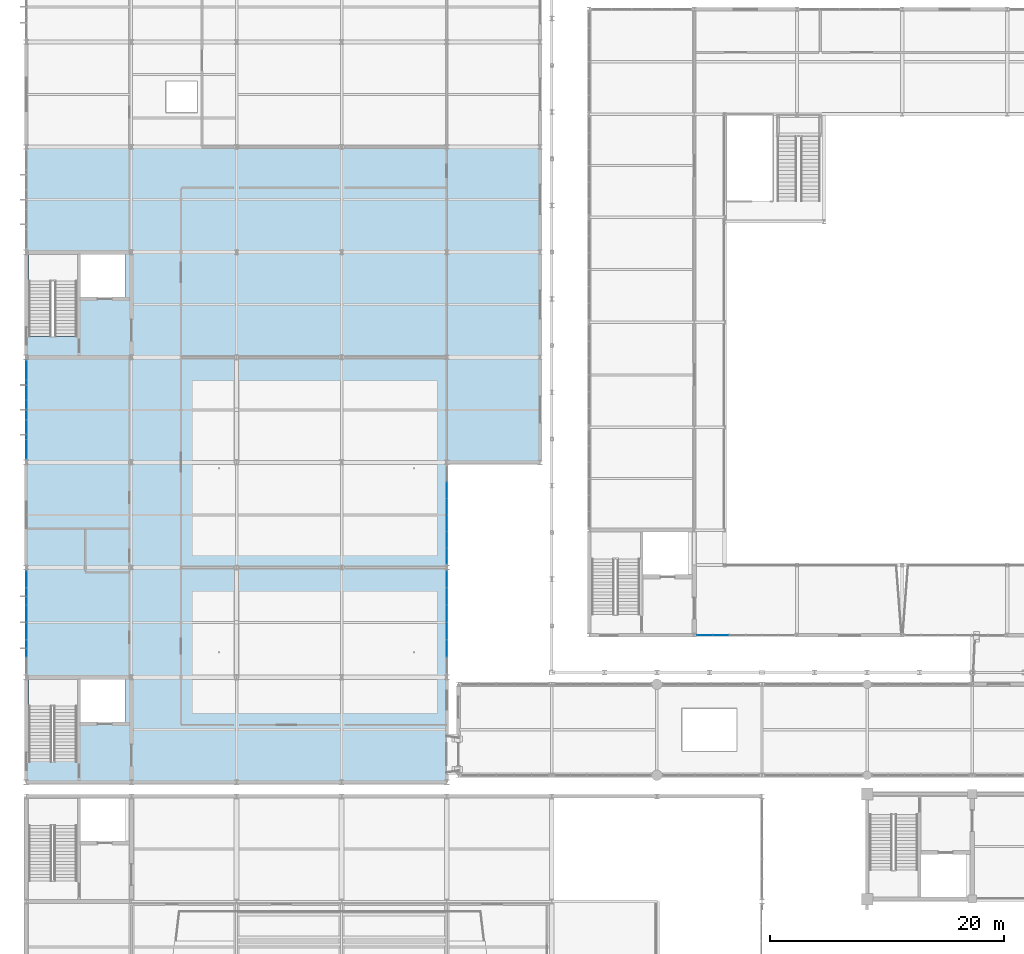
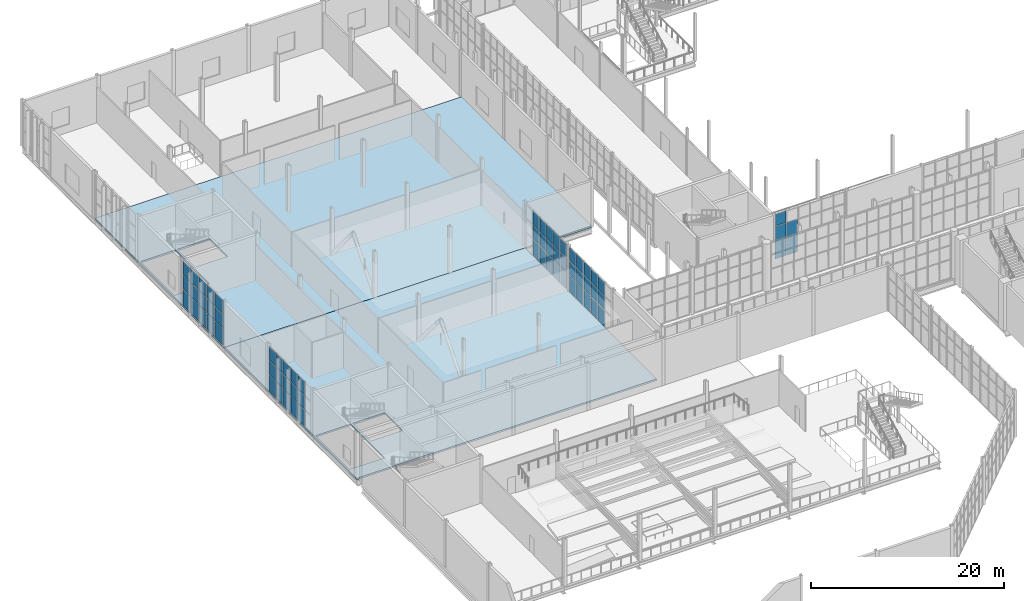
# One storey, part 102 of 159: 65 plates, 2 slabs, 5 elements without a shape of their own.
"""IFC4 building model written with IfcOpenShell, lengths in metres."""

from ifc_helpers import new_model, si_unit, direction, frame, origin, origin_2d, place, context, subcontext, project, spatial, polyline, rectangle, outline, extrude, material, layer, layer_set, type_object, element, aggregate, save


model = new_model("IFC4")

# Units and contexts
model_context = context("Model", 3, precision=1e-05, world=origin(), true_north=direction((0.0, 1.0)))
body_context = subcontext(model_context, "Body", "Model", "MODEL_VIEW")
ifc_project = project(units=[si_unit("LENGTHUNIT", "METRE"), si_unit("AREAUNIT", "SQUARE_METRE"), si_unit("VOLUMEUNIT", "CUBIC_METRE"), si_unit("PLANEANGLEUNIT", "RADIAN"), si_unit("MASSUNIT", "GRAM", prefix="KILO")], contexts=[model_context])

# Site, building, storey
site_placement = place(None, origin())
site = spatial("IfcSite", under=ifc_project, at=site_placement, CompositionType="ELEMENT")
building_placement = place(site_placement, origin())
building = spatial("IfcBuilding", under=site, at=building_placement, Name="Cazmaro Siding Exhibition Halls", CompositionType="ELEMENT")
storey_placement = place(building_placement, frame((0.0, 0.0, 6.0)))
storey = spatial("IfcBuildingStorey", under=building, at=storey_placement, Name="L01", CompositionType="ELEMENT", Elevation=6.0)

# Curtain wall, plates
ifc_material_1 = material(Name="Anodized Bronze Aluminum and Solar-Control Low-E Glazing", Category="aluminium")
ifc_layer_1 = layer(ifc_material_1, 0.179931640625)
ifc_layer_set_1 = layer_set([ifc_layer_1], Name="Anodized Bronze Aluminum and Solar-Control Low-E Glazing")
curtain_wall_type_1 = type_object("IfcCurtainWallType", Name="CWS-01", PredefinedType="USERDEFINED", material=ifc_layer_set_1)
curtain_wall_1_placement = place(storey_placement, origin())
curtain_wall_1 = element("IfcCurtainWall", 1, at=curtain_wall_1_placement, inside=storey, type_object=curtain_wall_type_1, Name="Glazed Curtain Wall CWS-01 CW-004", ObjectType="GLAZED CURTAIN WALL", PredefinedType="USERDEFINED")
ifc_material_2 = material(Name="Solar-Control Low-E Double Insulating Glass", Category="glass")
ifc_layer_2 = layer(ifc_material_2, 0.02392578125)
ifc_layer_set_2 = layer_set([ifc_layer_2], Name="Solar-Control Low-E Double Insulating Glass")
plate_type_1 = type_object("IfcPlateType", Name="CWP-01", PredefinedType="CURTAIN_PANEL", material=ifc_layer_set_2)
plate_1_placement = place(storey_placement, frame((58.112548828125, 67.199951171875, 0.06005859375), z_axis=(0.0, 0.0, 1.0), x_axis=(1.0, 0.0, 0.0)))
plate_1 = element("IfcPlate", 2, at=plate_1_placement, type_object=plate_type_1, Name="CWS-01 panel 1.1", PredefinedType="CURTAIN_PANEL", context=body_context, shape_type="SweptSolid", body=[
    extrude(rectangle(XDim=1.31103515625, YDim=0.02392578125, at=origin_2d()), origin(), (0.0, 0.0, 1.0), 2.31005859375),
])
plate_2_placement = place(storey_placement, frame((58.112548828125, 67.199951171875, 2.43017578125), z_axis=(0.0, 0.0, 1.0), x_axis=(1.0, 0.0, 0.0)))
plate_2 = element("IfcPlate", 3, at=plate_2_placement, type_object=plate_type_1, Name="CWS-01 panel 1.2", PredefinedType="CURTAIN_PANEL", context=body_context, shape_type="SweptSolid", body=[
    extrude(rectangle(XDim=1.31103515625, YDim=0.02392578125, at=origin_2d()), origin(), (0.0, 0.0, 1.0), 1.739990234375),
])
plate_3_placement = place(storey_placement, frame((58.112548828125, 67.199951171875, 4.22998046875), z_axis=(0.0, 0.0, 1.0), x_axis=(1.0, 0.0, 0.0)))
plate_3 = element("IfcPlate", 4, at=plate_3_placement, type_object=plate_type_1, Name="CWS-01 panel 1.3", PredefinedType="CURTAIN_PANEL", context=body_context, shape_type="SweptSolid", body=[
    extrude(rectangle(XDim=1.31103515625, YDim=0.02392578125, at=origin_2d()), origin(), (0.0, 0.0, 1.0), 1.489990234375),
])
plate_4_placement = place(storey_placement, frame((59.49853515625, 67.199951171875, 0.06005859375), z_axis=(0.0, 0.0, 1.0), x_axis=(1.0, 0.0, 0.0)))
plate_4 = element("IfcPlate", 5, at=plate_4_placement, type_object=plate_type_1, Name="CWS-01 panel 2.1", PredefinedType="CURTAIN_PANEL", context=body_context, shape_type="SweptSolid", body=[
    extrude(rectangle(XDim=1.341064453125, YDim=0.02392578125, at=origin_2d()), origin(), (0.0, 0.0, 1.0), 2.31005859375),
])
plate_5_placement = place(storey_placement, frame((59.49853515625, 67.199951171875, 2.43017578125), z_axis=(0.0, 0.0, 1.0), x_axis=(1.0, 0.0, 0.0)))
plate_5 = element("IfcPlate", 6, at=plate_5_placement, type_object=plate_type_1, Name="CWS-01 panel 2.2", PredefinedType="CURTAIN_PANEL", context=body_context, shape_type="SweptSolid", body=[
    extrude(rectangle(XDim=1.341064453125, YDim=0.02392578125, at=origin_2d()), origin(), (0.0, 0.0, 1.0), 1.739990234375),
])
aggregate(curtain_wall_1, [plate_1, plate_2, plate_3, plate_4, plate_5])

curtain_wall_2_placement = place(storey_placement, origin())
curtain_wall_2 = element("IfcCurtainWall", 7, at=curtain_wall_2_placement, inside=storey, type_object=curtain_wall_type_1, Name="Glazed Curtain Wall CWS-01 CW-231", ObjectType="GLAZED CURTAIN WALL", PredefinedType="USERDEFINED")
plate_6_placement = place(storey_placement, frame((36.0, 66.076416015625, 0.06005859375), z_axis=(0.0, 0.0, 1.0), x_axis=(0.0, 1.0, 0.0)))
plate_6 = element("IfcPlate", 8, at=plate_6_placement, type_object=plate_type_1, Name="CWS-01 panel 2.1", PredefinedType="CURTAIN_PANEL", context=body_context, shape_type="SweptSolid", body=[
    extrude(rectangle(XDim=1.42236328125, YDim=0.02392578125, at=origin_2d()), origin(), (0.0, 0.0, 1.0), 2.110107421875),
])
plate_7_placement = place(storey_placement, frame((36.0, 66.076416015625, 2.22998046875), z_axis=(0.0, 0.0, 1.0), x_axis=(0.0, 1.0, 0.0)))
plate_7 = element("IfcPlate", 9, at=plate_7_placement, type_object=plate_type_1, Name="CWS-01 panel 2.2", PredefinedType="CURTAIN_PANEL", context=body_context, shape_type="SweptSolid", body=[
    extrude(rectangle(XDim=1.42236328125, YDim=0.02392578125, at=origin_2d()), origin(), (0.0, 0.0, 1.0), 1.739990234375),
])
plate_8_placement = place(storey_placement, frame((36.0, 66.076416015625, 4.030029296875), z_axis=(0.0, 0.0, 1.0), x_axis=(0.0, 1.0, 0.0)))
plate_8 = element("IfcPlate", 10, at=plate_8_placement, type_object=plate_type_1, Name="CWS-01 panel 2.3", PredefinedType="CURTAIN_PANEL", context=body_context, shape_type="SweptSolid", body=[
    extrude(rectangle(XDim=1.42236328125, YDim=0.02392578125, at=origin_2d()), origin(), (0.0, 0.0, 1.0), 1.68994140625),
])
plate_9_placement = place(storey_placement, frame((36.0, 67.558837890625, 0.06005859375), z_axis=(0.0, 0.0, 1.0), x_axis=(0.0, 1.0, 0.0)))
plate_9 = element("IfcPlate", 11, at=plate_9_placement, type_object=plate_type_1, Name="CWS-01 panel 3.1", PredefinedType="CURTAIN_PANEL", context=body_context, shape_type="SweptSolid", body=[
    extrude(rectangle(XDim=1.42236328125, YDim=0.02392578125, at=origin_2d()), origin(), (0.0, 0.0, 1.0), 2.110107421875),
])
plate_10_placement = place(storey_placement, frame((36.0, 67.558837890625, 2.22998046875), z_axis=(0.0, 0.0, 1.0), x_axis=(0.0, 1.0, 0.0)))
plate_10 = element("IfcPlate", 12, at=plate_10_placement, type_object=plate_type_1, Name="CWS-01 panel 3.2", PredefinedType="CURTAIN_PANEL", context=body_context, shape_type="SweptSolid", body=[
    extrude(rectangle(XDim=1.42236328125, YDim=0.02392578125, at=origin_2d()), origin(), (0.0, 0.0, 1.0), 1.739990234375),
])
plate_11_placement = place(storey_placement, frame((36.0, 67.558837890625, 4.030029296875), z_axis=(0.0, 0.0, 1.0), x_axis=(0.0, 1.0, 0.0)))
plate_11 = element("IfcPlate", 13, at=plate_11_placement, type_object=plate_type_1, Name="CWS-01 panel 3.3", PredefinedType="CURTAIN_PANEL", context=body_context, shape_type="SweptSolid", body=[
    extrude(rectangle(XDim=1.42236328125, YDim=0.02392578125, at=origin_2d()), origin(), (0.0, 0.0, 1.0), 1.68994140625),
])
plate_12_placement = place(storey_placement, frame((36.0, 69.041259765625, 0.06005859375), z_axis=(0.0, 0.0, 1.0), x_axis=(0.0, 1.0, 0.0)))
plate_12 = element("IfcPlate", 14, at=plate_12_placement, type_object=plate_type_1, Name="CWS-01 panel 4.1", PredefinedType="CURTAIN_PANEL", context=body_context, shape_type="SweptSolid", body=[
    extrude(rectangle(XDim=1.42236328125, YDim=0.02392578125, at=origin_2d()), origin(), (0.0, 0.0, 1.0), 2.110107421875),
])
plate_13_placement = place(storey_placement, frame((36.0, 69.041259765625, 2.22998046875), z_axis=(0.0, 0.0, 1.0), x_axis=(0.0, 1.0, 0.0)))
plate_13 = element("IfcPlate", 15, at=plate_13_placement, type_object=plate_type_1, Name="CWS-01 panel 4.2", PredefinedType="CURTAIN_PANEL", context=body_context, shape_type="SweptSolid", body=[
    extrude(rectangle(XDim=1.42236328125, YDim=0.02392578125, at=origin_2d()), origin(), (0.0, 0.0, 1.0), 1.739990234375),
])
plate_14_placement = place(storey_placement, frame((36.0, 69.041259765625, 4.030029296875), z_axis=(0.0, 0.0, 1.0), x_axis=(0.0, 1.0, 0.0)))
plate_14 = element("IfcPlate", 16, at=plate_14_placement, type_object=plate_type_1, Name="CWS-01 panel 4.3", PredefinedType="CURTAIN_PANEL", context=body_context, shape_type="SweptSolid", body=[
    extrude(rectangle(XDim=1.42236328125, YDim=0.02392578125, at=origin_2d()), origin(), (0.0, 0.0, 1.0), 1.68994140625),
])
plate_15_placement = place(storey_placement, frame((36.0, 70.5234375, 0.06005859375), z_axis=(0.0, 0.0, 1.0), x_axis=(0.0, 1.0, 0.0)))
plate_15 = element("IfcPlate", 17, at=plate_15_placement, type_object=plate_type_1, Name="CWS-01 panel 5.1", PredefinedType="CURTAIN_PANEL", context=body_context, shape_type="SweptSolid", body=[
    extrude(rectangle(XDim=1.42236328125, YDim=0.02392578125, at=origin_2d()), origin(), (0.0, 0.0, 1.0), 2.110107421875),
])
plate_16_placement = place(storey_placement, frame((36.0, 70.5234375, 2.22998046875), z_axis=(0.0, 0.0, 1.0), x_axis=(0.0, 1.0, 0.0)))
plate_16 = element("IfcPlate", 18, at=plate_16_placement, type_object=plate_type_1, Name="CWS-01 panel 5.2", PredefinedType="CURTAIN_PANEL", context=body_context, shape_type="SweptSolid", body=[
    extrude(rectangle(XDim=1.42236328125, YDim=0.02392578125, at=origin_2d()), origin(), (0.0, 0.0, 1.0), 1.739990234375),
])
plate_17_placement = place(storey_placement, frame((36.0, 70.5234375, 4.030029296875), z_axis=(0.0, 0.0, 1.0), x_axis=(0.0, 1.0, 0.0)))
plate_17 = element("IfcPlate", 19, at=plate_17_placement, type_object=plate_type_1, Name="CWS-01 panel 5.3", PredefinedType="CURTAIN_PANEL", context=body_context, shape_type="SweptSolid", body=[
    extrude(rectangle(XDim=1.42236328125, YDim=0.02392578125, at=origin_2d()), origin(), (0.0, 0.0, 1.0), 1.68994140625),
])
plate_18_placement = place(storey_placement, frame((36.0, 71.99072265625, 0.06005859375), z_axis=(0.0, 0.0, 1.0), x_axis=(0.0, 1.0, 0.0)))
plate_18 = element("IfcPlate", 20, at=plate_18_placement, type_object=plate_type_1, Name="CWS-01 panel 6.1", PredefinedType="CURTAIN_PANEL", context=body_context, shape_type="SweptSolid", body=[
    extrude(rectangle(XDim=1.392333984375, YDim=0.02392578125, at=origin_2d()), origin(), (0.0, 0.0, 1.0), 2.110107421875),
])
plate_19_placement = place(storey_placement, frame((36.0, 71.99072265625, 2.22998046875), z_axis=(0.0, 0.0, 1.0), x_axis=(0.0, 1.0, 0.0)))
plate_19 = element("IfcPlate", 21, at=plate_19_placement, type_object=plate_type_1, Name="CWS-01 panel 6.2", PredefinedType="CURTAIN_PANEL", context=body_context, shape_type="SweptSolid", body=[
    extrude(rectangle(XDim=1.392333984375, YDim=0.02392578125, at=origin_2d()), origin(), (0.0, 0.0, 1.0), 1.739990234375),
])
plate_20_placement = place(storey_placement, frame((36.0, 71.99072265625, 4.030029296875), z_axis=(0.0, 0.0, 1.0), x_axis=(0.0, 1.0, 0.0)))
plate_20 = element("IfcPlate", 22, at=plate_20_placement, type_object=plate_type_1, Name="CWS-01 panel 6.3", PredefinedType="CURTAIN_PANEL", context=body_context, shape_type="SweptSolid", body=[
    extrude(rectangle(XDim=1.392333984375, YDim=0.02392578125, at=origin_2d()), origin(), (0.0, 0.0, 1.0), 1.68994140625),
])
aggregate(curtain_wall_2, [plate_6, plate_7, plate_8, plate_9, plate_10, plate_11, plate_12, plate_13, plate_14, plate_15, plate_16, plate_17, plate_18, plate_19, plate_20])

curtain_wall_3_placement = place(storey_placement, origin())
curtain_wall_3 = element("IfcCurtainWall", 23, at=curtain_wall_3_placement, inside=storey, type_object=curtain_wall_type_1, Name="Glazed Curtain Wall CWS-01 CW-232", ObjectType="GLAZED CURTAIN WALL", PredefinedType="USERDEFINED")
plate_21_placement = place(storey_placement, frame((36.0, 73.975830078125, 0.06005859375), z_axis=(0.0, 0.0, 1.0), x_axis=(0.0, 1.0, 0.0)))
plate_21 = element("IfcPlate", 24, at=plate_21_placement, type_object=plate_type_1, Name="CWS-01 panel 1.1", PredefinedType="CURTAIN_PANEL", context=body_context, shape_type="SweptSolid", body=[
    extrude(rectangle(XDim=1.32568359375, YDim=0.02392578125, at=origin_2d()), origin(), (0.0, 0.0, 1.0), 2.110107421875),
])
plate_22_placement = place(storey_placement, frame((36.0, 73.975830078125, 2.22998046875), z_axis=(0.0, 0.0, 1.0), x_axis=(0.0, 1.0, 0.0)))
plate_22 = element("IfcPlate", 25, at=plate_22_placement, type_object=plate_type_1, Name="CWS-01 panel 1.2", PredefinedType="CURTAIN_PANEL", context=body_context, shape_type="SweptSolid", body=[
    extrude(rectangle(XDim=1.32568359375, YDim=0.02392578125, at=origin_2d()), origin(), (0.0, 0.0, 1.0), 1.739990234375),
])
plate_23_placement = place(storey_placement, frame((36.0, 73.975830078125, 4.030029296875), z_axis=(0.0, 0.0, 1.0), x_axis=(0.0, 1.0, 0.0)))
plate_23 = element("IfcPlate", 26, at=plate_23_placement, type_object=plate_type_1, Name="CWS-01 panel 1.3", PredefinedType="CURTAIN_PANEL", context=body_context, shape_type="SweptSolid", body=[
    extrude(rectangle(XDim=1.32568359375, YDim=0.02392578125, at=origin_2d()), origin(), (0.0, 0.0, 1.0), 1.68994140625),
])
plate_24_placement = place(storey_placement, frame((36.0, 75.37646484375, 0.06005859375), z_axis=(0.0, 0.0, 1.0), x_axis=(0.0, 1.0, 0.0)))
plate_24 = element("IfcPlate", 27, at=plate_24_placement, type_object=plate_type_1, Name="CWS-01 panel 2.1", PredefinedType="CURTAIN_PANEL", context=body_context, shape_type="SweptSolid", body=[
    extrude(rectangle(XDim=1.355712890625, YDim=0.02392578125, at=origin_2d()), origin(), (0.0, 0.0, 1.0), 2.110107421875),
])
plate_25_placement = place(storey_placement, frame((36.0, 75.37646484375, 2.22998046875), z_axis=(0.0, 0.0, 1.0), x_axis=(0.0, 1.0, 0.0)))
plate_25 = element("IfcPlate", 28, at=plate_25_placement, type_object=plate_type_1, Name="CWS-01 panel 2.2", PredefinedType="CURTAIN_PANEL", context=body_context, shape_type="SweptSolid", body=[
    extrude(rectangle(XDim=1.355712890625, YDim=0.02392578125, at=origin_2d()), origin(), (0.0, 0.0, 1.0), 1.739990234375),
])
plate_26_placement = place(storey_placement, frame((36.0, 75.37646484375, 4.030029296875), z_axis=(0.0, 0.0, 1.0), x_axis=(0.0, 1.0, 0.0)))
plate_26 = element("IfcPlate", 29, at=plate_26_placement, type_object=plate_type_1, Name="CWS-01 panel 2.3", PredefinedType="CURTAIN_PANEL", context=body_context, shape_type="SweptSolid", body=[
    extrude(rectangle(XDim=1.355712890625, YDim=0.02392578125, at=origin_2d()), origin(), (0.0, 0.0, 1.0), 1.68994140625),
])
plate_27_placement = place(storey_placement, frame((36.0, 76.792236328125, 0.06005859375), z_axis=(0.0, 0.0, 1.0), x_axis=(0.0, 1.0, 0.0)))
plate_27 = element("IfcPlate", 30, at=plate_27_placement, type_object=plate_type_1, Name="CWS-01 panel 3.1", PredefinedType="CURTAIN_PANEL", context=body_context, shape_type="SweptSolid", body=[
    extrude(rectangle(XDim=1.355712890625, YDim=0.02392578125, at=origin_2d()), origin(), (0.0, 0.0, 1.0), 2.110107421875),
])
plate_28_placement = place(storey_placement, frame((36.0, 76.792236328125, 2.22998046875), z_axis=(0.0, 0.0, 1.0), x_axis=(0.0, 1.0, 0.0)))
plate_28 = element("IfcPlate", 31, at=plate_28_placement, type_object=plate_type_1, Name="CWS-01 panel 3.2", PredefinedType="CURTAIN_PANEL", context=body_context, shape_type="SweptSolid", body=[
    extrude(rectangle(XDim=1.355712890625, YDim=0.02392578125, at=origin_2d()), origin(), (0.0, 0.0, 1.0), 1.739990234375),
])
plate_29_placement = place(storey_placement, frame((36.0, 76.792236328125, 4.030029296875), z_axis=(0.0, 0.0, 1.0), x_axis=(0.0, 1.0, 0.0)))
plate_29 = element("IfcPlate", 32, at=plate_29_placement, type_object=plate_type_1, Name="CWS-01 panel 3.3", PredefinedType="CURTAIN_PANEL", context=body_context, shape_type="SweptSolid", body=[
    extrude(rectangle(XDim=1.355712890625, YDim=0.02392578125, at=origin_2d()), origin(), (0.0, 0.0, 1.0), 1.68994140625),
])
plate_30_placement = place(storey_placement, frame((36.0, 78.207763671875, 0.06005859375), z_axis=(0.0, 0.0, 1.0), x_axis=(0.0, 1.0, 0.0)))
plate_30 = element("IfcPlate", 33, at=plate_30_placement, type_object=plate_type_1, Name="CWS-01 panel 4.1", PredefinedType="CURTAIN_PANEL", context=body_context, shape_type="SweptSolid", body=[
    extrude(rectangle(XDim=1.355712890625, YDim=0.02392578125, at=origin_2d()), origin(), (0.0, 0.0, 1.0), 2.110107421875),
])
plate_31_placement = place(storey_placement, frame((36.0, 78.207763671875, 2.22998046875), z_axis=(0.0, 0.0, 1.0), x_axis=(0.0, 1.0, 0.0)))
plate_31 = element("IfcPlate", 34, at=plate_31_placement, type_object=plate_type_1, Name="CWS-01 panel 4.2", PredefinedType="CURTAIN_PANEL", context=body_context, shape_type="SweptSolid", body=[
    extrude(rectangle(XDim=1.355712890625, YDim=0.02392578125, at=origin_2d()), origin(), (0.0, 0.0, 1.0), 1.739990234375),
])
plate_32_placement = place(storey_placement, frame((36.0, 78.207763671875, 4.030029296875), z_axis=(0.0, 0.0, 1.0), x_axis=(0.0, 1.0, 0.0)))
plate_32 = element("IfcPlate", 35, at=plate_32_placement, type_object=plate_type_1, Name="CWS-01 panel 4.3", PredefinedType="CURTAIN_PANEL", context=body_context, shape_type="SweptSolid", body=[
    extrude(rectangle(XDim=1.355712890625, YDim=0.02392578125, at=origin_2d()), origin(), (0.0, 0.0, 1.0), 1.68994140625),
])
plate_33_placement = place(storey_placement, frame((36.0, 79.62353515625, 0.06005859375), z_axis=(0.0, 0.0, 1.0), x_axis=(0.0, 1.0, 0.0)))
plate_33 = element("IfcPlate", 36, at=plate_33_placement, type_object=plate_type_1, Name="CWS-01 panel 5.1", PredefinedType="CURTAIN_PANEL", context=body_context, shape_type="SweptSolid", body=[
    extrude(rectangle(XDim=1.355712890625, YDim=0.02392578125, at=origin_2d()), origin(), (0.0, 0.0, 1.0), 2.110107421875),
])
plate_34_placement = place(storey_placement, frame((36.0, 79.62353515625, 2.22998046875), z_axis=(0.0, 0.0, 1.0), x_axis=(0.0, 1.0, 0.0)))
plate_34 = element("IfcPlate", 37, at=plate_34_placement, type_object=plate_type_1, Name="CWS-01 panel 5.2", PredefinedType="CURTAIN_PANEL", context=body_context, shape_type="SweptSolid", body=[
    extrude(rectangle(XDim=1.355712890625, YDim=0.02392578125, at=origin_2d()), origin(), (0.0, 0.0, 1.0), 1.739990234375),
])
plate_35_placement = place(storey_placement, frame((36.0, 79.62353515625, 4.030029296875), z_axis=(0.0, 0.0, 1.0), x_axis=(0.0, 1.0, 0.0)))
plate_35 = element("IfcPlate", 38, at=plate_35_placement, type_object=plate_type_1, Name="CWS-01 panel 5.3", PredefinedType="CURTAIN_PANEL", context=body_context, shape_type="SweptSolid", body=[
    extrude(rectangle(XDim=1.355712890625, YDim=0.02392578125, at=origin_2d()), origin(), (0.0, 0.0, 1.0), 1.68994140625),
])
aggregate(curtain_wall_3, [plate_21, plate_22, plate_23, plate_24, plate_25, plate_26, plate_27, plate_28, plate_29, plate_30, plate_31, plate_32, plate_33, plate_34, plate_35])

ifc_material_3 = material(Name="Anodized Bronze Aluminum and Solar-Control Low-E Glazing", Category="aluminium")
ifc_layer_3 = layer(ifc_material_3, 0.199951171875)
ifc_layer_set_3 = layer_set([ifc_layer_3], Name="Anodized Bronze Aluminum and Solar-Control Low-E Glazing")
curtain_wall_type_2 = type_object("IfcCurtainWallType", Name="CWS-02", PredefinedType="USERDEFINED", material=ifc_layer_set_3)
curtain_wall_4_placement = place(storey_placement, origin())
curtain_wall_4 = element("IfcCurtainWall", 39, at=curtain_wall_4_placement, inside=storey, type_object=curtain_wall_type_2, Name="Glazed Curtain Wall CWS-02 CW-230", ObjectType="GLAZED CURTAIN WALL", PredefinedType="USERDEFINED")
ifc_material_4 = material(Name="Solar-Control Low-E Double Insulating Glass", Category="glass")
ifc_layer_4 = layer(ifc_material_4, 0.035888671875)
ifc_layer_set_4 = layer_set([ifc_layer_4], Name="Solar-Control Low-E Double Insulating Glass")
plate_type_2 = type_object("IfcPlateType", Name="CWP-02", PredefinedType="CURTAIN_PANEL", material=ifc_layer_set_4)
plate_36_placement = place(storey_placement, frame((0.0, 71.989501953125, 0.06494140625), z_axis=(0.0, 0.0, 1.0), x_axis=(0.0, -1.0, 0.0)))
plate_36 = element("IfcPlate", 40, at=plate_36_placement, type_object=plate_type_2, Name="CWS-02 panel 1.1", PredefinedType="CURTAIN_PANEL", context=body_context, shape_type="SweptSolid", body=[
    extrude(rectangle(XDim=1.384765625, YDim=0.035888671875, at=origin_2d()), origin(), (0.0, 0.0, 1.0), 2.1025390625),
])
plate_37_placement = place(storey_placement, frame((0.0, 71.989501953125, 2.232421875), z_axis=(0.0, 0.0, 1.0), x_axis=(0.0, -1.0, 0.0)))
plate_37 = element("IfcPlate", 41, at=plate_37_placement, type_object=plate_type_2, Name="CWS-02 panel 1.2", PredefinedType="CURTAIN_PANEL", context=body_context, shape_type="SweptSolid", body=[
    extrude(rectangle(XDim=1.384765625, YDim=0.035888671875, at=origin_2d()), origin(), (0.0, 0.0, 1.0), 1.735107421875),
])
plate_38_placement = place(storey_placement, frame((0.0, 71.989501953125, 4.032470703125), z_axis=(0.0, 0.0, 1.0), x_axis=(0.0, -1.0, 0.0)))
plate_38 = element("IfcPlate", 42, at=plate_38_placement, type_object=plate_type_2, Name="CWS-02 panel 1.3", PredefinedType="CURTAIN_PANEL", context=body_context, shape_type="SweptSolid", body=[
    extrude(rectangle(XDim=1.384765625, YDim=0.035888671875, at=origin_2d()), origin(), (0.0, 0.0, 1.0), 1.6826171875),
])
plate_39_placement = place(storey_placement, frame((0.0, 70.5234375, 0.06494140625), z_axis=(0.0, 0.0, 1.0), x_axis=(0.0, -1.0, 0.0)))
plate_39 = element("IfcPlate", 43, at=plate_39_placement, type_object=plate_type_2, Name="CWS-02 panel 2.1", PredefinedType="CURTAIN_PANEL", context=body_context, shape_type="SweptSolid", body=[
    extrude(rectangle(XDim=1.417236328125, YDim=0.035888671875, at=origin_2d()), origin(), (0.0, 0.0, 1.0), 2.1025390625),
])
plate_40_placement = place(storey_placement, frame((0.0, 70.5234375, 2.232421875), z_axis=(0.0, 0.0, 1.0), x_axis=(0.0, -1.0, 0.0)))
plate_40 = element("IfcPlate", 44, at=plate_40_placement, type_object=plate_type_2, Name="CWS-02 panel 2.2", PredefinedType="CURTAIN_PANEL", context=body_context, shape_type="SweptSolid", body=[
    extrude(rectangle(XDim=1.417236328125, YDim=0.035888671875, at=origin_2d()), origin(), (0.0, 0.0, 1.0), 1.735107421875),
])
plate_41_placement = place(storey_placement, frame((0.0, 70.5234375, 4.032470703125), z_axis=(0.0, 0.0, 1.0), x_axis=(0.0, -1.0, 0.0)))
plate_41 = element("IfcPlate", 45, at=plate_41_placement, type_object=plate_type_2, Name="CWS-02 panel 2.3", PredefinedType="CURTAIN_PANEL", context=body_context, shape_type="SweptSolid", body=[
    extrude(rectangle(XDim=1.417236328125, YDim=0.035888671875, at=origin_2d()), origin(), (0.0, 0.0, 1.0), 1.6826171875),
])
plate_42_placement = place(storey_placement, frame((0.0, 69.041259765625, 0.06494140625), z_axis=(0.0, 0.0, 1.0), x_axis=(0.0, -1.0, 0.0)))
plate_42 = element("IfcPlate", 46, at=plate_42_placement, type_object=plate_type_2, Name="CWS-02 panel 3.1", PredefinedType="CURTAIN_PANEL", context=body_context, shape_type="SweptSolid", body=[
    extrude(rectangle(XDim=1.417236328125, YDim=0.035888671875, at=origin_2d()), origin(), (0.0, 0.0, 1.0), 2.1025390625),
])
plate_43_placement = place(storey_placement, frame((0.0, 69.041259765625, 2.232421875), z_axis=(0.0, 0.0, 1.0), x_axis=(0.0, -1.0, 0.0)))
plate_43 = element("IfcPlate", 47, at=plate_43_placement, type_object=plate_type_2, Name="CWS-02 panel 3.2", PredefinedType="CURTAIN_PANEL", context=body_context, shape_type="SweptSolid", body=[
    extrude(rectangle(XDim=1.417236328125, YDim=0.035888671875, at=origin_2d()), origin(), (0.0, 0.0, 1.0), 1.735107421875),
])
plate_44_placement = place(storey_placement, frame((0.0, 69.041259765625, 4.032470703125), z_axis=(0.0, 0.0, 1.0), x_axis=(0.0, -1.0, 0.0)))
plate_44 = element("IfcPlate", 48, at=plate_44_placement, type_object=plate_type_2, Name="CWS-02 panel 3.3", PredefinedType="CURTAIN_PANEL", context=body_context, shape_type="SweptSolid", body=[
    extrude(rectangle(XDim=1.417236328125, YDim=0.035888671875, at=origin_2d()), origin(), (0.0, 0.0, 1.0), 1.6826171875),
])
plate_45_placement = place(storey_placement, frame((0.0, 67.558837890625, 0.06494140625), z_axis=(0.0, 0.0, 1.0), x_axis=(0.0, -1.0, 0.0)))
plate_45 = element("IfcPlate", 49, at=plate_45_placement, type_object=plate_type_2, Name="CWS-02 panel 4.1", PredefinedType="CURTAIN_PANEL", context=body_context, shape_type="SweptSolid", body=[
    extrude(rectangle(XDim=1.417236328125, YDim=0.035888671875, at=origin_2d()), origin(), (0.0, 0.0, 1.0), 2.1025390625),
])
plate_46_placement = place(storey_placement, frame((0.0, 67.558837890625, 2.232421875), z_axis=(0.0, 0.0, 1.0), x_axis=(0.0, -1.0, 0.0)))
plate_46 = element("IfcPlate", 50, at=plate_46_placement, type_object=plate_type_2, Name="CWS-02 panel 4.2", PredefinedType="CURTAIN_PANEL", context=body_context, shape_type="SweptSolid", body=[
    extrude(rectangle(XDim=1.417236328125, YDim=0.035888671875, at=origin_2d()), origin(), (0.0, 0.0, 1.0), 1.735107421875),
])
plate_47_placement = place(storey_placement, frame((0.0, 67.558837890625, 4.032470703125), z_axis=(0.0, 0.0, 1.0), x_axis=(0.0, -1.0, 0.0)))
plate_47 = element("IfcPlate", 51, at=plate_47_placement, type_object=plate_type_2, Name="CWS-02 panel 4.3", PredefinedType="CURTAIN_PANEL", context=body_context, shape_type="SweptSolid", body=[
    extrude(rectangle(XDim=1.417236328125, YDim=0.035888671875, at=origin_2d()), origin(), (0.0, 0.0, 1.0), 1.6826171875),
])
plate_48_placement = place(storey_placement, frame((0.0, 66.076416015625, 0.06494140625), z_axis=(0.0, 0.0, 1.0), x_axis=(0.0, -1.0, 0.0)))
plate_48 = element("IfcPlate", 52, at=plate_48_placement, type_object=plate_type_2, Name="CWS-02 panel 5.1", PredefinedType="CURTAIN_PANEL", context=body_context, shape_type="SweptSolid", body=[
    extrude(rectangle(XDim=1.417236328125, YDim=0.035888671875, at=origin_2d()), origin(), (0.0, 0.0, 1.0), 2.1025390625),
])
plate_49_placement = place(storey_placement, frame((0.0, 66.076416015625, 2.232421875), z_axis=(0.0, 0.0, 1.0), x_axis=(0.0, -1.0, 0.0)))
plate_49 = element("IfcPlate", 53, at=plate_49_placement, type_object=plate_type_2, Name="CWS-02 panel 5.2", PredefinedType="CURTAIN_PANEL", context=body_context, shape_type="SweptSolid", body=[
    extrude(rectangle(XDim=1.417236328125, YDim=0.035888671875, at=origin_2d()), origin(), (0.0, 0.0, 1.0), 1.735107421875),
])
plate_50_placement = place(storey_placement, frame((0.0, 66.076416015625, 4.032470703125), z_axis=(0.0, 0.0, 1.0), x_axis=(0.0, -1.0, 0.0)))
plate_50 = element("IfcPlate", 54, at=plate_50_placement, type_object=plate_type_2, Name="CWS-02 panel 5.3", PredefinedType="CURTAIN_PANEL", context=body_context, shape_type="SweptSolid", body=[
    extrude(rectangle(XDim=1.417236328125, YDim=0.035888671875, at=origin_2d()), origin(), (0.0, 0.0, 1.0), 1.6826171875),
])
aggregate(curtain_wall_4, [plate_36, plate_37, plate_38, plate_39, plate_40, plate_41, plate_42, plate_43, plate_44, plate_45, plate_46, plate_47, plate_48, plate_49, plate_50])

curtain_wall_5_placement = place(storey_placement, origin())
curtain_wall_5 = element("IfcCurtainWall", 55, at=curtain_wall_5_placement, inside=storey, type_object=curtain_wall_type_2, Name="Glazed Curtain Wall CWS-02 CW-233", ObjectType="GLAZED CURTAIN WALL", PredefinedType="USERDEFINED")
plate_51_placement = place(storey_placement, frame((0.0, 89.88134765625, 0.06494140625), z_axis=(0.0, 0.0, 1.0), x_axis=(0.0, -1.0, 0.0)))
plate_51 = element("IfcPlate", 56, at=plate_51_placement, type_object=plate_type_2, Name="CWS-02 panel 1.1", PredefinedType="CURTAIN_PANEL", context=body_context, shape_type="SweptSolid", body=[
    extrude(rectangle(XDim=1.601318359375, YDim=0.035888671875, at=origin_2d()), origin(), (0.0, 0.0, 1.0), 2.1025390625),
])
plate_52_placement = place(storey_placement, frame((0.0, 89.88134765625, 2.232421875), z_axis=(0.0, 0.0, 1.0), x_axis=(0.0, -1.0, 0.0)))
plate_52 = element("IfcPlate", 57, at=plate_52_placement, type_object=plate_type_2, Name="CWS-02 panel 1.2", PredefinedType="CURTAIN_PANEL", context=body_context, shape_type="SweptSolid", body=[
    extrude(rectangle(XDim=1.601318359375, YDim=0.035888671875, at=origin_2d()), origin(), (0.0, 0.0, 1.0), 1.735107421875),
])
plate_53_placement = place(storey_placement, frame((0.0, 89.88134765625, 4.032470703125), z_axis=(0.0, 0.0, 1.0), x_axis=(0.0, -1.0, 0.0)))
plate_53 = element("IfcPlate", 58, at=plate_53_placement, type_object=plate_type_2, Name="CWS-02 panel 1.3", PredefinedType="CURTAIN_PANEL", context=body_context, shape_type="SweptSolid", body=[
    extrude(rectangle(XDim=1.601318359375, YDim=0.035888671875, at=origin_2d()), origin(), (0.0, 0.0, 1.0), 1.6826171875),
])
plate_54_placement = place(storey_placement, frame((0.0, 88.19873046875, 0.06494140625), z_axis=(0.0, 0.0, 1.0), x_axis=(0.0, -1.0, 0.0)))
plate_54 = element("IfcPlate", 59, at=plate_54_placement, type_object=plate_type_2, Name="CWS-02 panel 2.1", PredefinedType="CURTAIN_PANEL", context=body_context, shape_type="SweptSolid", body=[
    extrude(rectangle(XDim=1.6337890625, YDim=0.035888671875, at=origin_2d()), origin(), (0.0, 0.0, 1.0), 2.1025390625),
])
plate_55_placement = place(storey_placement, frame((0.0, 88.19873046875, 2.232421875), z_axis=(0.0, 0.0, 1.0), x_axis=(0.0, -1.0, 0.0)))
plate_55 = element("IfcPlate", 60, at=plate_55_placement, type_object=plate_type_2, Name="CWS-02 panel 2.2", PredefinedType="CURTAIN_PANEL", context=body_context, shape_type="SweptSolid", body=[
    extrude(rectangle(XDim=1.6337890625, YDim=0.035888671875, at=origin_2d()), origin(), (0.0, 0.0, 1.0), 1.735107421875),
])
plate_56_placement = place(storey_placement, frame((0.0, 88.19873046875, 4.032470703125), z_axis=(0.0, 0.0, 1.0), x_axis=(0.0, -1.0, 0.0)))
plate_56 = element("IfcPlate", 61, at=plate_56_placement, type_object=plate_type_2, Name="CWS-02 panel 2.3", PredefinedType="CURTAIN_PANEL", context=body_context, shape_type="SweptSolid", body=[
    extrude(rectangle(XDim=1.6337890625, YDim=0.035888671875, at=origin_2d()), origin(), (0.0, 0.0, 1.0), 1.6826171875),
])
plate_57_placement = place(storey_placement, frame((0.0, 86.5, 0.06494140625), z_axis=(0.0, 0.0, 1.0), x_axis=(0.0, -1.0, 0.0)))
plate_57 = element("IfcPlate", 62, at=plate_57_placement, type_object=plate_type_2, Name="CWS-02 panel 3.1", PredefinedType="CURTAIN_PANEL", context=body_context, shape_type="SweptSolid", body=[
    extrude(rectangle(XDim=1.6337890625, YDim=0.035888671875, at=origin_2d()), origin(), (0.0, 0.0, 1.0), 2.1025390625),
])
plate_58_placement = place(storey_placement, frame((0.0, 86.5, 2.232421875), z_axis=(0.0, 0.0, 1.0), x_axis=(0.0, -1.0, 0.0)))
plate_58 = element("IfcPlate", 63, at=plate_58_placement, type_object=plate_type_2, Name="CWS-02 panel 3.2", PredefinedType="CURTAIN_PANEL", context=body_context, shape_type="SweptSolid", body=[
    extrude(rectangle(XDim=1.6337890625, YDim=0.035888671875, at=origin_2d()), origin(), (0.0, 0.0, 1.0), 1.735107421875),
])
plate_59_placement = place(storey_placement, frame((0.0, 86.5, 4.032470703125), z_axis=(0.0, 0.0, 1.0), x_axis=(0.0, -1.0, 0.0)))
plate_59 = element("IfcPlate", 64, at=plate_59_placement, type_object=plate_type_2, Name="CWS-02 panel 3.3", PredefinedType="CURTAIN_PANEL", context=body_context, shape_type="SweptSolid", body=[
    extrude(rectangle(XDim=1.6337890625, YDim=0.035888671875, at=origin_2d()), origin(), (0.0, 0.0, 1.0), 1.6826171875),
])
plate_60_placement = place(storey_placement, frame((0.0, 84.80126953125, 0.06494140625), z_axis=(0.0, 0.0, 1.0), x_axis=(0.0, -1.0, 0.0)))
plate_60 = element("IfcPlate", 65, at=plate_60_placement, type_object=plate_type_2, Name="CWS-02 panel 4.1", PredefinedType="CURTAIN_PANEL", context=body_context, shape_type="SweptSolid", body=[
    extrude(rectangle(XDim=1.6337890625, YDim=0.035888671875, at=origin_2d()), origin(), (0.0, 0.0, 1.0), 2.1025390625),
])
plate_61_placement = place(storey_placement, frame((0.0, 84.80126953125, 2.232421875), z_axis=(0.0, 0.0, 1.0), x_axis=(0.0, -1.0, 0.0)))
plate_61 = element("IfcPlate", 66, at=plate_61_placement, type_object=plate_type_2, Name="CWS-02 panel 4.2", PredefinedType="CURTAIN_PANEL", context=body_context, shape_type="SweptSolid", body=[
    extrude(rectangle(XDim=1.6337890625, YDim=0.035888671875, at=origin_2d()), origin(), (0.0, 0.0, 1.0), 1.735107421875),
])
plate_62_placement = place(storey_placement, frame((0.0, 84.80126953125, 4.032470703125), z_axis=(0.0, 0.0, 1.0), x_axis=(0.0, -1.0, 0.0)))
plate_62 = element("IfcPlate", 67, at=plate_62_placement, type_object=plate_type_2, Name="CWS-02 panel 4.3", PredefinedType="CURTAIN_PANEL", context=body_context, shape_type="SweptSolid", body=[
    extrude(rectangle(XDim=1.6337890625, YDim=0.035888671875, at=origin_2d()), origin(), (0.0, 0.0, 1.0), 1.6826171875),
])
plate_63_placement = place(storey_placement, frame((0.0, 83.11865234375, 0.06494140625), z_axis=(0.0, 0.0, 1.0), x_axis=(0.0, -1.0, 0.0)))
plate_63 = element("IfcPlate", 68, at=plate_63_placement, type_object=plate_type_2, Name="CWS-02 panel 5.1", PredefinedType="CURTAIN_PANEL", context=body_context, shape_type="SweptSolid", body=[
    extrude(rectangle(XDim=1.601318359375, YDim=0.035888671875, at=origin_2d()), origin(), (0.0, 0.0, 1.0), 2.1025390625),
])
plate_64_placement = place(storey_placement, frame((0.0, 83.11865234375, 2.232421875), z_axis=(0.0, 0.0, 1.0), x_axis=(0.0, -1.0, 0.0)))
plate_64 = element("IfcPlate", 69, at=plate_64_placement, type_object=plate_type_2, Name="CWS-02 panel 5.2", PredefinedType="CURTAIN_PANEL", context=body_context, shape_type="SweptSolid", body=[
    extrude(rectangle(XDim=1.601318359375, YDim=0.035888671875, at=origin_2d()), origin(), (0.0, 0.0, 1.0), 1.735107421875),
])
plate_65_placement = place(storey_placement, frame((0.0, 83.11865234375, 4.032470703125), z_axis=(0.0, 0.0, 1.0), x_axis=(0.0, -1.0, 0.0)))
plate_65 = element("IfcPlate", 70, at=plate_65_placement, type_object=plate_type_2, Name="CWS-02 panel 5.3", PredefinedType="CURTAIN_PANEL", context=body_context, shape_type="SweptSolid", body=[
    extrude(rectangle(XDim=1.601318359375, YDim=0.035888671875, at=origin_2d()), origin(), (0.0, 0.0, 1.0), 1.6826171875),
])
aggregate(curtain_wall_5, [plate_51, plate_52, plate_53, plate_54, plate_55, plate_56, plate_57, plate_58, plate_59, plate_60, plate_61, plate_62, plate_63, plate_64, plate_65])

# Slabs
ifc_material_5 = material(Name="Concrete f'c 35 MPa", Category="concrete")
ifc_layer_5 = layer(ifc_material_5, 0.219970703125)
ifc_layer_set_5 = layer_set([ifc_layer_5], Name="Concrete f'c 35 MPa")
slab_type = type_object("IfcSlabType", Name="FS-01", PredefinedType="FLOOR", material=ifc_layer_set_5)
slab_1_placement = place(storey_placement, frame((0.0, 0.0, -0.219970703125)))
element("IfcSlab", 71, at=slab_1_placement, inside=storey, type_object=slab_type, Name="West Wing South L01 FS-01 SLB-0021", PredefinedType="FLOOR", context=body_context, shape_type="SweptSolid", body=[
    extrude(outline(polyline([(0.0, 54.60009765625), (36.0, 54.60009765625), (36.0, 82.0), (0.0, 82.0), (0.0, 54.60009765625)]), holes=[polyline([(0.179931640625, 56.3798828125), (4.375, 56.3798828125), (4.375, 63.419921875), (0.179931640625, 63.419921875), (0.179931640625, 56.3798828125)]), polyline([(4.625, 59.719970703125), (8.47998046875, 59.719970703125), (8.47998046875, 63.419921875), (4.625, 63.419921875), (4.625, 59.719970703125)])]), origin(), (0.0, 0.0, 1.0), 0.219970703125),
])
slab_2_placement = place(storey_placement, frame((0.0, 0.0, -0.219970703125)))
element("IfcSlab", 72, at=slab_2_placement, inside=storey, type_object=slab_type, Name="West Wing Central L01 FS-01 SLB-0022", PredefinedType="FLOOR", context=body_context, shape_type="SweptSolid", body=[
    extrude(outline(polyline([(0.0, 82.0), (44.0, 82.0), (44.0, 109.0), (0.0, 109.0), (0.0, 82.0)]), holes=[polyline([(0.179931640625, 92.780029296875), (4.375, 92.780029296875), (4.375, 99.820068359375), (0.179931640625, 99.820068359375), (0.179931640625, 92.780029296875)]), polyline([(4.625, 96.1201171875), (8.47998046875, 96.1201171875), (8.47998046875, 99.820068359375), (4.625, 99.820068359375), (4.625, 96.1201171875)])]), origin(), (0.0, 0.0, 1.0), 0.219970703125),
])

save(model, "model.ifc")
